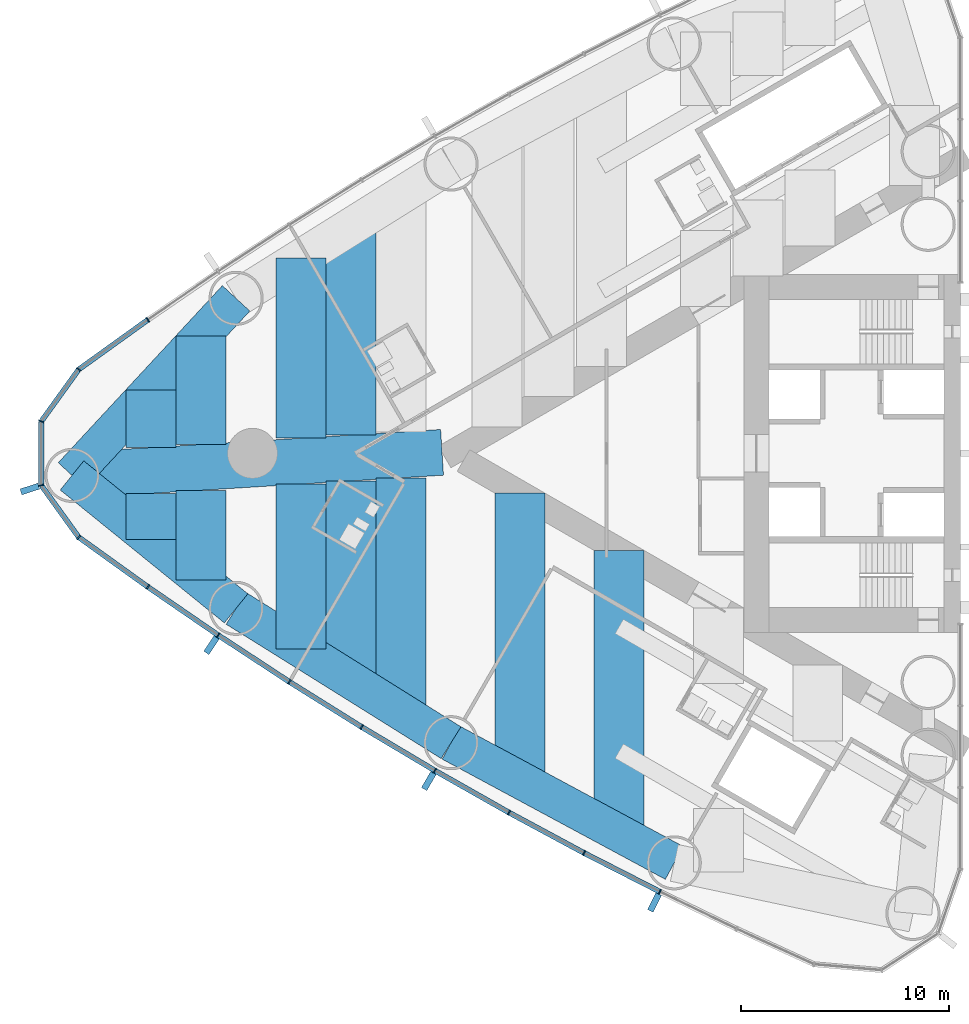
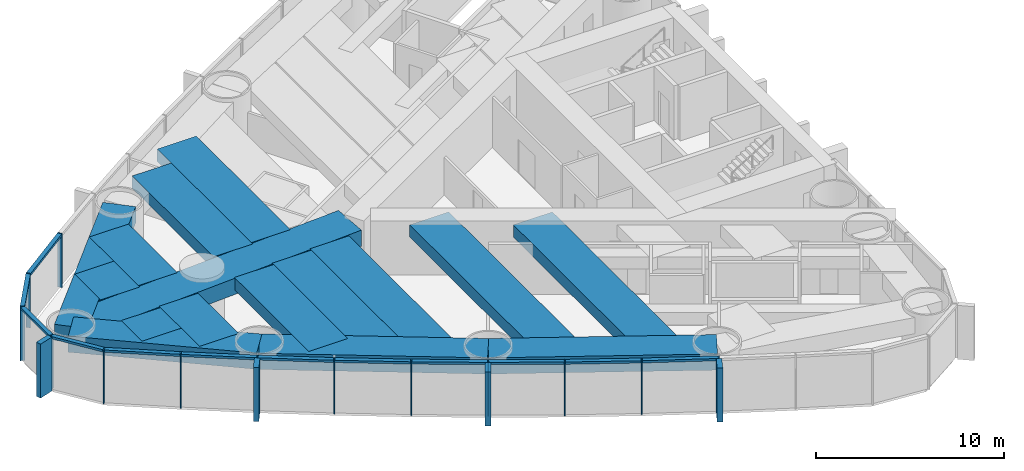
# One storey, part 2 of 18: 29 members, 16 beams, 1 element without a shape of its own.
"""IFC4 building model written with IfcOpenShell, lengths in metres."""

from ifc_helpers import new_model, si_unit, direction, frame, origin, origin_2d, place, context, subcontext, project, spatial, rectangle, extrude, material, material_profile, profile_set, type_object, element, aggregate, save


model = new_model("IFC4")

# Units and contexts
model_context = context("Model", 3, precision=1e-05, world=origin(), true_north=direction((0.0, 1.0)))
body_context = subcontext(model_context, "Body", "Model", "MODEL_VIEW")
ifc_project = project(units=[si_unit("LENGTHUNIT", "METRE"), si_unit("AREAUNIT", "SQUARE_METRE"), si_unit("VOLUMEUNIT", "CUBIC_METRE"), si_unit("PLANEANGLEUNIT", "RADIAN"), si_unit("MASSUNIT", "GRAM", prefix="KILO")], contexts=[model_context])

# Site, building, storey
site_placement = place(None, origin())
site = spatial("IfcSite", under=ifc_project, at=site_placement, CompositionType="ELEMENT")
building_placement = place(site_placement, origin())
building = spatial("IfcBuilding", under=site, at=building_placement, Name="Lancet Gate Hotel", CompositionType="ELEMENT")
storey_placement = place(building_placement, frame((0.0, 0.0, 136.10009765625)))
storey = spatial("IfcBuildingStorey", under=building, at=storey_placement, Name="L36", CompositionType="ELEMENT", Elevation=136.10009765625)

# Curtain wall, members
ifc_material_1 = material(Name="Aluminium curtain wall", Category="aluminium")
curtain_wall_type = type_object("IfcCurtainWallType", Name="Tower unitised curtain wall", PredefinedType="USERDEFINED", material=ifc_material_1)
curtain_wall_placement = place(storey_placement, origin())
curtain_wall = element("IfcCurtainWall", 1, at=curtain_wall_placement, inside=storey, type_object=curtain_wall_type, Name="T1 L36 curtain wall 1", ObjectType="UNITISED CURTAIN WALL", PredefinedType="USERDEFINED")
ifc_material_2 = material(Name="Aluminium mullion", Category="aluminium")
ifc_material_profile_1 = material_profile(ifc_material_2, rectangle(XDim=0.06494140625, YDim=0.25, at=origin_2d()), Name="MULLION 65x250")
ifc_profile_set_1 = profile_set([ifc_material_profile_1], Name="Aluminium mullion")
member_type_1 = type_object("IfcMemberType", Name="Aluminium mullion 65x250", PredefinedType="MULLION", material=ifc_profile_set_1)
member_1_placement = place(storey_placement, frame((-66.5234375, 6.41650390625, 0.0), z_axis=(0.0, 0.0, 1.0), x_axis=(-0.818327221681, -0.574752606132, 0.0)))
member_1 = element("IfcMember", 2, at=member_1_placement, type_object=member_type_1, Name="T1 L36 curtain wall 1 mullion 16", PredefinedType="MULLION", context=body_context, shape_type="SweptSolid", body=[
    extrude(rectangle(XDim=0.06494140625, YDim=0.25, at=origin_2d()), origin(), (0.0, 0.0, 1.0), 3.5),
])
member_2_placement = place(storey_placement, frame((-69.84619140625, 4.02880859375, 0.0), z_axis=(0.0, 0.0, 1.0), x_axis=(-0.723846229576, -0.6899613293, 0.0)))
member_2 = element("IfcMember", 3, at=member_2_placement, type_object=member_type_1, Name="T1 L36 curtain wall 1 mullion 17", PredefinedType="MULLION", context=body_context, shape_type="SweptSolid", body=[
    extrude(rectangle(XDim=0.06494140625, YDim=0.25, at=origin_2d()), origin(), (0.0, 0.0, 1.0), 3.5),
])
member_3_placement = place(storey_placement, frame((-71.64306640625, 1.536376953125, 0.0), z_axis=(0.0, 0.0, 1.0), x_axis=(-0.307269196735, -0.95162263568, 0.0)))
member_3 = element("IfcMember", 4, at=member_3_placement, type_object=member_type_1, Name="T1 L36 curtain wall 1 mullion 18", PredefinedType="MULLION", context=body_context, shape_type="SweptSolid", body=[
    extrude(rectangle(XDim=0.06494140625, YDim=0.25, at=origin_2d()), origin(), (0.0, 0.0, 1.0), 3.5),
])
member_4_placement = place(storey_placement, frame((-71.64306640625, -1.536376953125, 0.0), z_axis=(0.0, 0.0, 1.0), x_axis=(0.307269196735, -0.95162263568, 0.0)))
member_4 = element("IfcMember", 5, at=member_4_placement, type_object=member_type_1, Name="T1 L36 curtain wall 1 mullion 19", PredefinedType="MULLION", context=body_context, shape_type="SweptSolid", body=[
    extrude(rectangle(XDim=0.06494140625, YDim=0.25, at=origin_2d()), origin(), (0.0, 0.0, 1.0), 3.5),
])
member_5_placement = place(storey_placement, frame((-69.84619140625, -4.02880859375, 0.0), z_axis=(0.0, 0.0, 1.0), x_axis=(0.723846229576, -0.6899613293, 0.0)))
member_5 = element("IfcMember", 6, at=member_5_placement, type_object=member_type_1, Name="T1 L36 curtain wall 1 mullion 20", PredefinedType="MULLION", context=body_context, shape_type="SweptSolid", body=[
    extrude(rectangle(XDim=0.06494140625, YDim=0.25, at=origin_2d()), origin(), (0.0, 0.0, 1.0), 3.5),
])
member_6_placement = place(storey_placement, frame((-66.5234375, -6.41650390625, 0.0), z_axis=(0.0, 0.0, 1.0), x_axis=(0.818327221681, -0.574752606132, 0.0)))
member_6 = element("IfcMember", 7, at=member_6_placement, type_object=member_type_1, Name="T1 L36 curtain wall 1 mullion 21", PredefinedType="MULLION", context=body_context, shape_type="SweptSolid", body=[
    extrude(rectangle(XDim=0.06494140625, YDim=0.25, at=origin_2d()), origin(), (0.0, 0.0, 1.0), 3.5),
])
member_7_placement = place(storey_placement, frame((-63.14990234375, -8.73193359375, 0.0), z_axis=(0.0, 0.0, 1.0), x_axis=(0.830510096234, -0.557003572747, 0.0)))
member_7 = element("IfcMember", 8, at=member_7_placement, type_object=member_type_1, Name="T1 L36 curtain wall 1 mullion 22", PredefinedType="MULLION", context=body_context, shape_type="SweptSolid", body=[
    extrude(rectangle(XDim=0.06494140625, YDim=0.25, at=origin_2d()), origin(), (0.0, 0.0, 1.0), 3.5),
])
member_8_placement = place(storey_placement, frame((-59.7275390625, -10.974365234375, 0.0), z_axis=(0.0, 0.0, 1.0), x_axis=(0.84230807036, -0.538996395727, 0.0)))
member_8 = element("IfcMember", 9, at=member_8_placement, type_object=member_type_1, Name="T1 L36 curtain wall 1 mullion 23", PredefinedType="MULLION", context=body_context, shape_type="SweptSolid", body=[
    extrude(rectangle(XDim=0.06494140625, YDim=0.25, at=origin_2d()), origin(), (0.0, 0.0, 1.0), 3.5),
])
member_9_placement = place(storey_placement, frame((-56.257568359375, -13.142333984375, 0.0), z_axis=(0.0, 0.0, 1.0), x_axis=(0.853715676299, -0.52073942048, 0.0)))
member_9 = element("IfcMember", 10, at=member_9_placement, type_object=member_type_1, Name="T1 L36 curtain wall 1 mullion 24", PredefinedType="MULLION", context=body_context, shape_type="SweptSolid", body=[
    extrude(rectangle(XDim=0.06494140625, YDim=0.25, at=origin_2d()), origin(), (0.0, 0.0, 1.0), 3.5),
])
member_10_placement = place(storey_placement, frame((-52.74169921875, -15.2353515625, 0.0), z_axis=(0.0, 0.0, 1.0), x_axis=(0.86472762718, -0.502241108226, 0.0)))
member_10 = element("IfcMember", 11, at=member_10_placement, type_object=member_type_1, Name="T1 L36 curtain wall 1 mullion 25", PredefinedType="MULLION", context=body_context, shape_type="SweptSolid", body=[
    extrude(rectangle(XDim=0.06494140625, YDim=0.25, at=origin_2d()), origin(), (0.0, 0.0, 1.0), 3.5),
])
member_11_placement = place(storey_placement, frame((-49.181640625, -17.252197265625, 0.0), z_axis=(0.0, 0.0, 1.0), x_axis=(0.875338819507, -0.48351003202, 0.0)))
member_11 = element("IfcMember", 12, at=member_11_placement, type_object=member_type_1, Name="T1 L36 curtain wall 1 mullion 26", PredefinedType="MULLION", context=body_context, shape_type="SweptSolid", body=[
    extrude(rectangle(XDim=0.06494140625, YDim=0.25, at=origin_2d()), origin(), (0.0, 0.0, 1.0), 3.5),
])
member_12_placement = place(storey_placement, frame((-45.578857421875, -19.19189453125, 0.0), z_axis=(0.0, 0.0, 1.0), x_axis=(0.885544335517, -0.46455487279, 0.0)))
member_12 = element("IfcMember", 13, at=member_12_placement, type_object=member_type_1, Name="T1 L36 curtain wall 1 mullion 27", PredefinedType="MULLION", context=body_context, shape_type="SweptSolid", body=[
    extrude(rectangle(XDim=0.06494140625, YDim=0.25, at=origin_2d()), origin(), (0.0, 0.0, 1.0), 3.5),
])
member_13_placement = place(storey_placement, frame((-41.935302734375, -21.053466796875, 0.0), z_axis=(0.0, 0.0, 1.0), x_axis=(0.895339445458, -0.445384415317, 0.0)))
member_13 = element("IfcMember", 14, at=member_13_placement, type_object=member_type_1, Name="T1 L36 curtain wall 1 mullion 28", PredefinedType="MULLION", context=body_context, shape_type="SweptSolid", body=[
    extrude(rectangle(XDim=0.06494140625, YDim=0.25, at=origin_2d()), origin(), (0.0, 0.0, 1.0), 3.5),
])
ifc_material_3 = material(Name="Aluminium transom", Category="aluminium")
ifc_material_profile_2 = material_profile(ifc_material_3, rectangle(XDim=0.25, YDim=0.14990234375, at=origin_2d()), Name="TRANSOM 250x150")
ifc_profile_set_2 = profile_set([ifc_material_profile_2], Name="Aluminium transom")
member_type_2 = type_object("IfcMemberType", Name="Aluminium transom 250x150", PredefinedType="USERDEFINED", material=ifc_profile_set_2)
member_14_placement = place(storey_placement, frame((-66.5498046875, 6.3974609375, 3.4248046875), z_axis=(-0.812099770796, -0.583518604908, 0.0), x_axis=(0.583518604908, -0.812099770796, 0.0)))
member_14 = element("IfcMember", 15, at=member_14_placement, type_object=member_type_2, Name="T1 L36 curtain wall 1 transom 16", ObjectType="TRANSOM", PredefinedType="USERDEFINED", context=body_context, shape_type="SweptSolid", body=[
    extrude(rectangle(XDim=0.25, YDim=0.14990234375, at=origin_2d()), origin(), (0.0, 0.0, 1.0), 4.026611328125),
])
member_15_placement = place(storey_placement, frame((-69.865234375, 4.00244140625, 3.4248046875), z_axis=(-0.584787911241, -0.81118622946, 0.0), x_axis=(0.81118622946, -0.584787911241, 0.0)))
member_15 = element("IfcMember", 16, at=member_15_placement, type_object=member_type_2, Name="T1 L36 curtain wall 1 transom 17", ObjectType="TRANSOM", PredefinedType="USERDEFINED", context=body_context, shape_type="SweptSolid", body=[
    extrude(rectangle(XDim=0.25, YDim=0.14990234375, at=origin_2d()), origin(), (0.0, 0.0, 1.0), 3.007568359375),
])
member_16_placement = place(storey_placement, frame((-71.64306640625, 1.50390625, 3.4248046875), z_axis=(0.0, -1.0, 0.0), x_axis=(1.0, 0.0, 0.0)))
member_16 = element("IfcMember", 17, at=member_16_placement, type_object=member_type_2, Name="T1 L36 curtain wall 1 transom 18", ObjectType="TRANSOM", PredefinedType="USERDEFINED", context=body_context, shape_type="SweptSolid", body=[
    extrude(rectangle(XDim=0.25, YDim=0.14990234375, at=origin_2d()), origin(), (0.0, 0.0, 1.0), 3.0078125),
])
member_17_placement = place(storey_placement, frame((-71.6240234375, -1.562744140625, 3.4248046875), z_axis=(0.584787911241, -0.81118622946, 0.0), x_axis=(0.81118622946, 0.584787911241, 0.0)))
member_17 = element("IfcMember", 18, at=member_17_placement, type_object=member_type_2, Name="T1 L36 curtain wall 1 transom 19", ObjectType="TRANSOM", PredefinedType="USERDEFINED", context=body_context, shape_type="SweptSolid", body=[
    extrude(rectangle(XDim=0.25, YDim=0.14990234375, at=origin_2d()), origin(), (0.0, 0.0, 1.0), 3.007568359375),
])
member_18_placement = place(storey_placement, frame((-69.81982421875, -4.0478515625, 3.4248046875), z_axis=(0.812099770796, -0.583518604908, 0.0), x_axis=(0.583518604908, 0.812099770796, 0.0)))
member_18 = element("IfcMember", 19, at=member_18_placement, type_object=member_type_2, Name="T1 L36 curtain wall 1 transom 20", ObjectType="TRANSOM", PredefinedType="USERDEFINED", context=body_context, shape_type="SweptSolid", body=[
    extrude(rectangle(XDim=0.25, YDim=0.14990234375, at=origin_2d()), origin(), (0.0, 0.0, 1.0), 4.026611328125),
])
member_19_placement = place(storey_placement, frame((-66.49658203125, -6.434814453125, 3.4248046875), z_axis=(0.824455665247, -0.565926546508, 0.0), x_axis=(0.565926546508, 0.824455665247, 0.0)))
member_19 = element("IfcMember", 20, at=member_19_placement, type_object=member_type_2, Name="T1 L36 curtain wall 1 transom 21", ObjectType="TRANSOM", PredefinedType="USERDEFINED", context=body_context, shape_type="SweptSolid", body=[
    extrude(rectangle(XDim=0.25, YDim=0.14990234375, at=origin_2d()), origin(), (0.0, 0.0, 1.0), 4.026611328125),
])
member_20_placement = place(storey_placement, frame((-63.122802734375, -8.749755859375, 3.4248046875), z_axis=(0.83645442085, -0.548036496815, 0.0), x_axis=(0.548036496815, 0.83645442085, 0.0)))
member_20 = element("IfcMember", 21, at=member_20_placement, type_object=member_type_2, Name="T1 L36 curtain wall 1 transom 22", ObjectType="TRANSOM", PredefinedType="USERDEFINED", context=body_context, shape_type="SweptSolid", body=[
    extrude(rectangle(XDim=0.25, YDim=0.14990234375, at=origin_2d()), origin(), (0.0, 0.0, 1.0), 4.026611328125),
])
member_21_placement = place(storey_placement, frame((-59.699951171875, -10.991455078125, 3.4248046875), z_axis=(0.848049393821, -0.529917187531, 0.0), x_axis=(0.529917187531, 0.848049393821, 0.0)))
member_21 = element("IfcMember", 22, at=member_21_placement, type_object=member_type_2, Name="T1 L36 curtain wall 1 transom 23", ObjectType="TRANSOM", PredefinedType="USERDEFINED", context=body_context, shape_type="SweptSolid", body=[
    extrude(rectangle(XDim=0.25, YDim=0.14990234375, at=origin_2d()), origin(), (0.0, 0.0, 1.0), 4.026611328125),
])
member_22_placement = place(storey_placement, frame((-56.2294921875, -13.1591796875, 3.4248046875), z_axis=(0.859285270342, -0.511496651186, 0.0), x_axis=(0.511496651186, 0.859285270342, 0.0)))
member_22 = element("IfcMember", 23, at=member_22_placement, type_object=member_type_2, Name="T1 L36 curtain wall 1 transom 24", ObjectType="TRANSOM", PredefinedType="USERDEFINED", context=body_context, shape_type="SweptSolid", body=[
    extrude(rectangle(XDim=0.25, YDim=0.14990234375, at=origin_2d()), origin(), (0.0, 0.0, 1.0), 4.026611328125),
])
member_23_placement = place(storey_placement, frame((-52.71337890625, -15.25146484375, 3.4248046875), z_axis=(0.870091531013, -0.492890178091, 0.0), x_axis=(0.492890178091, 0.870091531013, 0.0)))
member_23 = element("IfcMember", 24, at=member_23_placement, type_object=member_type_2, Name="T1 L36 curtain wall 1 transom 25", ObjectType="TRANSOM", PredefinedType="USERDEFINED", context=body_context, shape_type="SweptSolid", body=[
    extrude(rectangle(XDim=0.25, YDim=0.14990234375, at=origin_2d()), origin(), (0.0, 0.0, 1.0), 4.026611328125),
])
member_24_placement = place(storey_placement, frame((-49.153076171875, -17.267578125, 3.4248046875), z_axis=(0.880498353192, -0.474049206335, 0.0), x_axis=(0.474049206335, 0.880498353192, 0.0)))
member_24 = element("IfcMember", 25, at=member_24_placement, type_object=member_type_2, Name="T1 L36 curtain wall 1 transom 26", ObjectType="TRANSOM", PredefinedType="USERDEFINED", context=body_context, shape_type="SweptSolid", body=[
    extrude(rectangle(XDim=0.25, YDim=0.14990234375, at=origin_2d()), origin(), (0.0, 0.0, 1.0), 4.02685546875),
])
member_25_placement = place(storey_placement, frame((-45.550048828125, -19.20654296875, 3.4248046875), z_axis=(0.89047617483, -0.455029869415, 0.0), x_axis=(0.455029869415, 0.89047617483, 0.0)))
member_25 = element("IfcMember", 26, at=member_25_placement, type_object=member_type_2, Name="T1 L36 curtain wall 1 transom 27", ObjectType="TRANSOM", PredefinedType="USERDEFINED", context=body_context, shape_type="SweptSolid", body=[
    extrude(rectangle(XDim=0.25, YDim=0.14990234375, at=origin_2d()), origin(), (0.0, 0.0, 1.0), 4.026611328125),
])

# Beams
ifc_material_4 = material(Name="Concrete C50/60", Category="concrete")
ifc_material_profile_3 = material_profile(ifc_material_4, rectangle(XDim=1.800048828125, YDim=1.050048828125, at=origin_2d()), Name="RC 1800x1050")
ifc_profile_set_3 = profile_set([ifc_material_profile_3], Name="Concrete C50/60")
beam_type_1 = type_object("IfcBeamType", Name="Edge beam RC 1800x1050", PredefinedType="SPANDREL", material=ifc_profile_set_3)
beam_1_placement = place(storey_placement, frame((-62.28662109375, 7.444580078125, 2.724853515625), z_axis=(-0.679718253794, -0.733473309303, 0.0), x_axis=(0.733473309303, -0.679718253794, 0.0)))
element("IfcBeam", 27, at=beam_1_placement, inside=storey, type_object=beam_type_1, Name="T1 edge beam EB1 L36", PredefinedType="SPANDREL", context=body_context, shape_type="SweptSolid", body=[
    extrude(rectangle(XDim=1.800048828125, YDim=1.050048828125, at=origin_2d()), origin(), (0.0, 0.0, 1.0), 11.594970703125),
])
beam_2_placement = place(storey_placement, frame((-70.16796875, -1.06005859375, 2.724853515625), z_axis=(0.777033503891, -0.629459239213, 0.0), x_axis=(0.629459239213, 0.777033503891, 0.0)))
element("IfcBeam", 28, at=beam_2_placement, inside=storey, type_object=beam_type_1, Name="T1 edge beam EB1 L36", PredefinedType="SPANDREL", context=body_context, shape_type="SweptSolid", body=[
    extrude(rectangle(XDim=1.800048828125, YDim=1.050048828125, at=origin_2d()), origin(), (0.0, 0.0, 1.0), 10.142822265625),
])
for number, where, z_axis, x_axis, name in (
    (29, (-62.28662109375, -7.444580078125, 2.724853515625), (0.848062521637, -0.529896177939, 0.0), (0.529896177939, 0.848062521637, 0.0), "T1 edge beam EB1 L36"),
    (30, (-51.963134765625, -13.89501953125, 2.724853515625), (0.880492350889, -0.474060354835, 0.0), (0.474060354835, 0.880492350889, 0.0), "T1 edge beam EB1 L36"),
):
    element("IfcBeam", number, at=place(storey_placement, frame(where, z_axis=z_axis, x_axis=x_axis)), inside=storey, type_object=beam_type_1, Name=name, PredefinedType="SPANDREL", context=body_context, shape_type="SweptSolid", body=[
        extrude(rectangle(XDim=1.800048828125, YDim=1.050048828125, at=origin_2d()), origin(), (0.0, 0.0, 1.0), 12.173095703125),
    ])

# Member
ifc_material_5 = material(Name="Precast concrete C50/60", Category="concrete")
ifc_material_profile_4 = material_profile(ifc_material_5, rectangle(XDim=0.300048828125, YDim=0.89990234375, at=origin_2d()), Name="FIN 300x900")
ifc_profile_set_4 = profile_set([ifc_material_profile_4], Name="Precast concrete C50/60")
member_type_3 = type_object("IfcMemberType", Name="Exposed concrete fin 300x900", PredefinedType="USERDEFINED", material=ifc_profile_set_4)
member_26_placement = place(storey_placement, frame((-72.190185546875, -1.713134765625, 0.0), z_axis=(0.0, 0.0, 1.0), x_axis=(0.307269196735, -0.95162263568, 0.0)))
member_26 = element("IfcMember", 31, at=member_26_placement, type_object=member_type_3, Name="T1 L36 curtain wall 1 fin 19", ObjectType="FIN", PredefinedType="USERDEFINED", context=body_context, shape_type="SweptSolid", body=[
    extrude(rectangle(XDim=0.300048828125, YDim=0.89990234375, at=origin_2d()), origin(), (0.0, 0.0, 1.0), 3.5),
])

member_27_placement = place(storey_placement, frame((-63.47021484375, -9.20947265625, 0.0), z_axis=(0.0, 0.0, 1.0), x_axis=(0.830510096234, -0.557003572747, 0.0)))
member_27 = element("IfcMember", 32, at=member_27_placement, type_object=member_type_3, Name="T1 L36 curtain wall 1 fin 22", ObjectType="FIN", PredefinedType="USERDEFINED", context=body_context, shape_type="SweptSolid", body=[
    extrude(rectangle(XDim=0.300048828125, YDim=0.89990234375, at=origin_2d()), origin(), (0.0, 0.0, 1.0), 3.5),
])

member_28_placement = place(storey_placement, frame((-53.030517578125, -15.732666015625, 0.0), z_axis=(0.0, 0.0, 1.0), x_axis=(0.86472762718, -0.502241108226, 0.0)))
member_28 = element("IfcMember", 33, at=member_28_placement, type_object=member_type_3, Name="T1 L36 curtain wall 1 fin 25", ObjectType="FIN", PredefinedType="USERDEFINED", context=body_context, shape_type="SweptSolid", body=[
    extrude(rectangle(XDim=0.300048828125, YDim=0.89990234375, at=origin_2d()), origin(), (0.0, 0.0, 1.0), 3.5),
])

member_29_placement = place(storey_placement, frame((-42.19140625, -21.568359375, 0.0), z_axis=(0.0, 0.0, 1.0), x_axis=(0.895339445458, -0.445384415317, 0.0)))
member_29 = element("IfcMember", 34, at=member_29_placement, type_object=member_type_3, Name="T1 L36 curtain wall 1 fin 28", ObjectType="FIN", PredefinedType="USERDEFINED", context=body_context, shape_type="SweptSolid", body=[
    extrude(rectangle(XDim=0.300048828125, YDim=0.89990234375, at=origin_2d()), origin(), (0.0, 0.0, 1.0), 3.5),
])

aggregate(curtain_wall, [member_1, member_2, member_3, member_4, member_26, member_5, member_6, member_7, member_27, member_8, member_9, member_10, member_28, member_11, member_12, member_13, member_29, member_14, member_15, member_16, member_17, member_18, member_19, member_20, member_21, member_22, member_23, member_24, member_25])

# Beams
ifc_material_6 = material(Name="Concrete C50/60", Category="concrete")
ifc_material_profile_5 = material_profile(ifc_material_6, rectangle(XDim=2.39990234375, YDim=0.800048828125, at=origin_2d()), Name="RC 2400x800")
ifc_profile_set_5 = profile_set([ifc_material_profile_5], Name="Concrete C50/60")
beam_type_2 = type_object("IfcBeamType", Name="Floor beam RC 2400x800", PredefinedType="BEAM", material=ifc_profile_set_5)
beam_3_placement = place(storey_placement, frame((-43.891357421875, -4.663330078125, 2.849853515625), z_axis=(0.0, -1.0, 0.0), x_axis=(1.0, 0.0, 0.0)))
element("IfcBeam", 35, at=beam_3_placement, inside=storey, type_object=beam_type_2, Name="T1 floor beam F08N L36", PredefinedType="BEAM", context=body_context, shape_type="SweptSolid", body=[
    extrude(rectangle(XDim=2.39990234375, YDim=0.800048828125, at=origin_2d()), origin(), (0.0, 0.0, 1.0), 13.57763671875),
])
beam_4_placement = place(storey_placement, frame((-48.66015625, -1.909912109375, 2.849853515625), z_axis=(0.0, -1.0, 0.0), x_axis=(1.0, 0.0, 0.0)))
element("IfcBeam", 36, at=beam_4_placement, inside=storey, type_object=beam_type_2, Name="T1 floor beam F11N L36", PredefinedType="BEAM", context=body_context, shape_type="SweptSolid", body=[
    extrude(rectangle(XDim=2.39990234375, YDim=0.800048828125, at=origin_2d()), origin(), (0.0, 0.0, 1.0), 13.763427734375),
])
beam_5_placement = place(storey_placement, frame((-54.3681640625, -1.177001953125, 2.849853515625), z_axis=(0.0, -1.0, 0.0), x_axis=(1.0, 0.0, 0.0)))
element("IfcBeam", 37, at=beam_5_placement, inside=storey, type_object=beam_type_2, Name="T1 floor beam F14N L36", PredefinedType="BEAM", context=body_context, shape_type="SweptSolid", body=[
    extrude(rectangle(XDim=2.39990234375, YDim=0.800048828125, at=origin_2d()), origin(), (0.0, 0.0, 1.0), 11.21533203125),
])
beam_6_placement = place(storey_placement, frame((-56.768310546875, 10.892578125, 2.849853515625), z_axis=(0.0, -1.0, 0.0), x_axis=(1.0, 0.0, 0.0)))
element("IfcBeam", 38, at=beam_6_placement, inside=storey, type_object=beam_type_2, Name="T1 floor beam F15S L36", PredefinedType="BEAM", context=body_context, shape_type="SweptSolid", body=[
    extrude(rectangle(XDim=2.39990234375, YDim=0.800048828125, at=origin_2d()), origin(), (0.0, 0.0, 1.0), 10.014892578125),
])
beam_7_placement = place(storey_placement, frame((-56.768310546875, -1.32666015625, 2.849853515625), z_axis=(0.0, -1.0, 0.0), x_axis=(1.0, 0.0, 0.0)))
element("IfcBeam", 39, at=beam_7_placement, inside=storey, type_object=beam_type_2, Name="T1 floor beam F16N L36", PredefinedType="BEAM", context=body_context, shape_type="SweptSolid", body=[
    extrude(rectangle(XDim=2.39990234375, YDim=0.800048828125, at=origin_2d()), origin(), (0.0, 0.0, 1.0), 9.56591796875),
])
beam_8_placement = place(storey_placement, frame((-59.168212890625, 9.39306640625, 2.849853515625), z_axis=(0.0, -1.0, 0.0), x_axis=(1.0, 0.0, 0.0)))
element("IfcBeam", 40, at=beam_8_placement, inside=storey, type_object=beam_type_2, Name="T1 floor beam F17S L36", PredefinedType="BEAM", context=body_context, shape_type="SweptSolid", body=[
    extrude(rectangle(XDim=2.39990234375, YDim=0.800048828125, at=origin_2d()), origin(), (0.0, 0.0, 1.0), 8.6650390625),
])
beam_9_placement = place(storey_placement, frame((-59.168212890625, -1.476318359375, 2.849853515625), z_axis=(0.0, -1.0, 0.0), x_axis=(1.0, 0.0, 0.0)))
element("IfcBeam", 41, at=beam_9_placement, inside=storey, type_object=beam_type_2, Name="T1 floor beam F18N L36", PredefinedType="BEAM", context=body_context, shape_type="SweptSolid", body=[
    extrude(rectangle(XDim=2.39990234375, YDim=0.800048828125, at=origin_2d()), origin(), (0.0, 0.0, 1.0), 7.916748046875),
])
beam_10_placement = place(storey_placement, frame((-63.96826171875, 5.6298828125, 2.849853515625), z_axis=(0.0, -1.0, 0.0), x_axis=(1.0, 0.0, 0.0)))
element("IfcBeam", 42, at=beam_10_placement, inside=storey, type_object=beam_type_2, Name="T1 floor beam F19S L36", PredefinedType="BEAM", context=body_context, shape_type="SweptSolid", body=[
    extrude(rectangle(XDim=2.39990234375, YDim=0.800048828125, at=origin_2d()), origin(), (0.0, 0.0, 1.0), 5.201171875),
])
beam_11_placement = place(storey_placement, frame((-63.96826171875, -1.775634765625, 2.849853515625), z_axis=(0.0, -1.0, 0.0), x_axis=(1.0, 0.0, 0.0)))
element("IfcBeam", 43, at=beam_11_placement, inside=storey, type_object=beam_type_2, Name="T1 floor beam F20N L36", PredefinedType="BEAM", context=body_context, shape_type="SweptSolid", body=[
    extrude(rectangle(XDim=2.39990234375, YDim=0.800048828125, at=origin_2d()), origin(), (0.0, 0.0, 1.0), 4.306640625),
])
beam_12_placement = place(storey_placement, frame((-66.3681640625, 3.040283203125, 2.849853515625), z_axis=(0.0, -1.0, 0.0), x_axis=(1.0, 0.0, 0.0)))
element("IfcBeam", 44, at=beam_12_placement, inside=storey, type_object=beam_type_2, Name="T1 floor beam F21S L36", PredefinedType="BEAM", context=body_context, shape_type="SweptSolid", body=[
    extrude(rectangle(XDim=2.39990234375, YDim=0.800048828125, at=origin_2d()), origin(), (0.0, 0.0, 1.0), 2.76123046875),
])
beam_13_placement = place(storey_placement, frame((-66.3681640625, -1.92529296875, 2.849853515625), z_axis=(0.0, -1.0, 0.0), x_axis=(1.0, 0.0, 0.0)))
element("IfcBeam", 45, at=beam_13_placement, inside=storey, type_object=beam_type_2, Name="T1 floor beam F22N L36", PredefinedType="BEAM", context=body_context, shape_type="SweptSolid", body=[
    extrude(rectangle(XDim=2.39990234375, YDim=0.800048828125, at=origin_2d()), origin(), (0.0, 0.0, 1.0), 2.212890625),
])
ifc_material_7 = material(Name="Concrete C50/60", Category="concrete")
ifc_material_profile_6 = material_profile(ifc_material_7, rectangle(XDim=2.199951171875, YDim=1.050048828125, at=origin_2d()), Name="RC 2200x1050")
ifc_profile_set_6 = profile_set([ifc_material_profile_6], Name="Concrete C50/60")
beam_type_3 = type_object("IfcBeamType", Name="Radial floor beam RC 2200x1050", PredefinedType="BEAM", material=ifc_profile_set_6)
beam_14_placement = place(storey_placement, frame((-70.16796875, -1.06005859375, 2.724853515625), z_axis=(0.998061637313, 0.062233175423, 0.0), x_axis=(-0.062233175423, 0.998061637313, 0.0)))
element("IfcBeam", 46, at=beam_14_placement, inside=storey, type_object=beam_type_3, Name="T1 radial beam CA L36", PredefinedType="BEAM", context=body_context, shape_type="SweptSolid", body=[
    extrude(rectangle(XDim=2.199951171875, YDim=1.050048828125, at=origin_2d()), origin(), (0.0, 0.0, 1.0), 17.806396484375),
])

save(model, "model.ifc")
